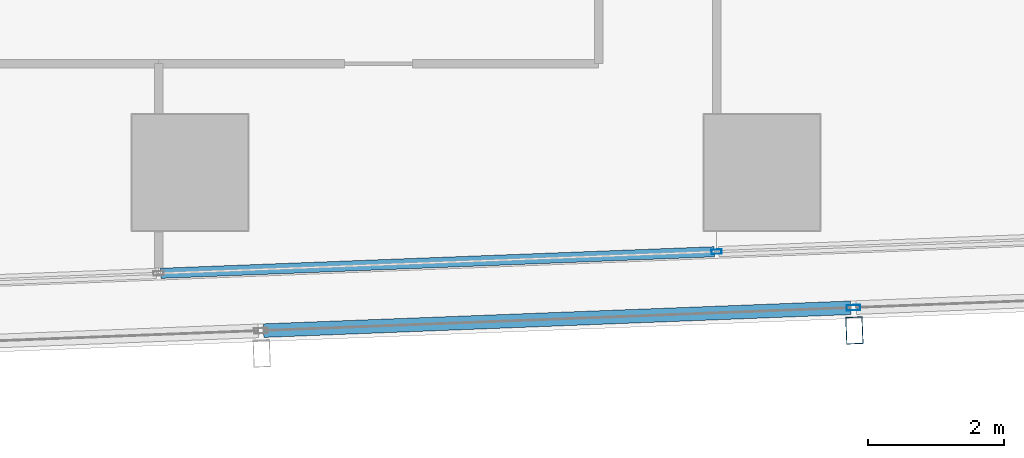
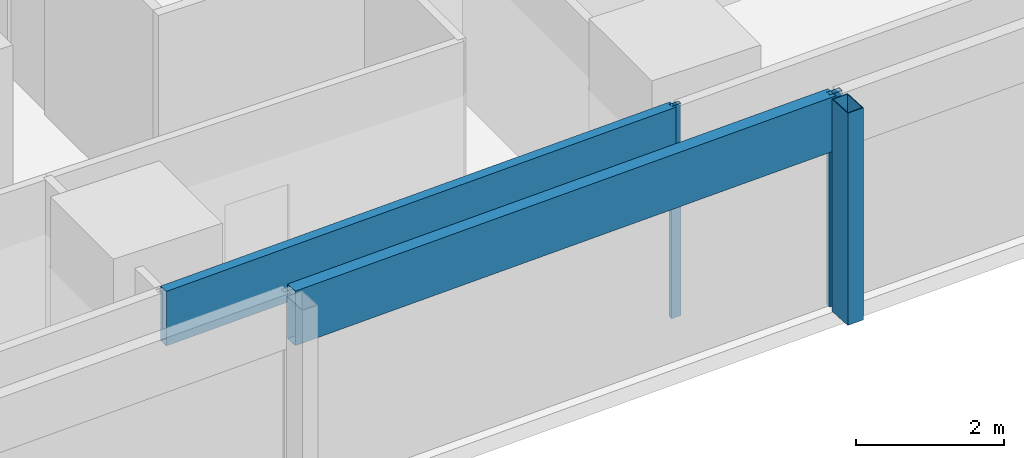
# One storey, part 11 of 40: 5 members, 2 elements without a shape of their own.
"""IFC4 building model written with IfcOpenShell, lengths in metres."""

from ifc_helpers import new_model, si_unit, direction, frame, origin, origin_2d, place, context, subcontext, project, spatial, hollow_rectangle, extrude, material, material_profile, profile_set, type_object, element, aggregate, save


model = new_model("IFC4")

# Units and contexts
model_context = context("Model", 3, precision=1e-05, world=origin(), true_north=direction((0.0, 1.0)))
body_context = subcontext(model_context, "Body", "Model", "MODEL_VIEW")
ifc_project = project(units=[si_unit("LENGTHUNIT", "METRE"), si_unit("AREAUNIT", "SQUARE_METRE"), si_unit("VOLUMEUNIT", "CUBIC_METRE"), si_unit("PLANEANGLEUNIT", "RADIAN"), si_unit("MASSUNIT", "GRAM", prefix="KILO")], contexts=[model_context])

# Site, building, storey
site_placement = place(None, origin())
site = spatial("IfcSite", under=ifc_project, at=site_placement, CompositionType="ELEMENT")
building_placement = place(site_placement, origin())
building = spatial("IfcBuilding", under=site, at=building_placement, Name="Rekha Terrace Tower", CompositionType="ELEMENT")
storey_placement = place(building_placement, frame((0.0, 0.0, 140.300048828125)))
storey = spatial("IfcBuildingStorey", under=building, at=storey_placement, Name="L35", CompositionType="ELEMENT", Elevation=140.300048828125)

# Curtain wall, member
ifc_material_1 = material(Name="Aluminium framing", Category="aluminium")
curtain_wall_type_1 = type_object("IfcCurtainWallType", Name="CW2 double skin outer glazing", PredefinedType="USERDEFINED", material=ifc_material_1)
curtain_wall_1_placement = place(storey_placement, origin())
curtain_wall_1 = element("IfcCurtainWall", 1, at=curtain_wall_1_placement, inside=storey, type_object=curtain_wall_type_1, Name="CW2 double skin outer glazing", ObjectType="DOUBLE SKIN OUTER GLAZING", PredefinedType="USERDEFINED")
ifc_material_2 = material(Name="Steel S355 with fluorocarbon finish", Category="steel")
ifc_material_profile_1 = material_profile(ifc_material_2, hollow_rectangle(XDim=0.25, YDim=0.39990234375, WallThickness=0.012451171875, at=origin_2d()), Name="RHS400x250x12.5")
ifc_profile_set_1 = profile_set([ifc_material_profile_1], Name="Steel S355 with fluorocarbon finish")
member_type_1 = type_object("IfcMemberType", Name="BL1 facade blade RHS 400 x 250", PredefinedType="USERDEFINED", material=ifc_profile_set_1)
member_1_placement = place(storey_placement, frame((60.1572265625, 14.480712890625, 0.0), z_axis=(0.0, 0.0, 1.0), x_axis=(0.999243494356, 0.038890088543, 0.0)))
member_1 = element("IfcMember", 2, at=member_1_placement, type_object=member_type_1, Name="Facade blade", ObjectType="FACADE BLADE", PredefinedType="USERDEFINED", context=body_context, shape_type="SweptSolid", body=[
    extrude(hollow_rectangle(XDim=0.25, YDim=0.39990234375, WallThickness=0.012451171875, at=origin_2d()), origin(), (0.0, 0.0, 1.0), 3.5),
])

# Curtain wall, members
curtain_wall_type_2 = type_object("IfcCurtainWallType", Name="CW1 double skin inner glazing", PredefinedType="USERDEFINED", material=ifc_material_1)
curtain_wall_2_placement = place(storey_placement, origin())
curtain_wall_2 = element("IfcCurtainWall", 3, at=curtain_wall_2_placement, inside=storey, type_object=curtain_wall_type_2, Name="CW1 double skin inner glazing", ObjectType="DOUBLE SKIN INNER GLAZING", PredefinedType="USERDEFINED")
ifc_material_3 = material(Name="Aluminium mullion section", Category="aluminium")
ifc_material_profile_2 = material_profile(ifc_material_3, hollow_rectangle(XDim=0.06494140625, YDim=0.14990234375, WallThickness=0.00390625, at=origin_2d()), Name="AL RHS 65x150")
ifc_profile_set_2 = profile_set([ifc_material_profile_2], Name="Aluminium mullion section")
member_type_2 = type_object("IfcMemberType", Name="CW1 mullion RHS 65 x 150", PredefinedType="MULLION", material=ifc_profile_set_2)
member_2_placement = place(storey_placement, frame((58.13330078125, 15.637939453125, 0.0), z_axis=(0.0, 0.0, 1.0), x_axis=(-0.038889971345, 0.999243498917, 0.0)))
member_2 = element("IfcMember", 4, at=member_2_placement, type_object=member_type_2, Name="CW1 mullion 5", PredefinedType="MULLION", context=body_context, shape_type="SweptSolid", body=[
    extrude(hollow_rectangle(XDim=0.06494140625, YDim=0.14990234375, WallThickness=0.00390625, at=origin_2d()), origin(), (0.0, 0.0, 1.0), 3.5),
])
ifc_material_4 = material(Name="Insulated aluminium spandrel box", Category="aluminium")
ifc_material_profile_3 = material_profile(ifc_material_4, hollow_rectangle(XDim=0.14990234375, YDim=0.89990234375, WallThickness=0.0029296875, at=origin_2d()), Name="AL SPANDREL BOX 150x900")
ifc_profile_set_3 = profile_set([ifc_material_profile_3], Name="Insulated aluminium spandrel box")
member_type_3 = type_object("IfcMemberType", Name="CW1 spandrel transom 150 x 900", PredefinedType="USERDEFINED", material=ifc_profile_set_3)
member_3_placement = place(storey_placement, frame((49.96923828125, 15.320068359375, 3.050048828125), z_axis=(0.999242669674, 0.038911272182, 0.0), x_axis=(-0.038911272182, 0.999242669674, 0.0)))
member_3 = element("IfcMember", 5, at=member_3_placement, type_object=member_type_3, Name="CW1 spandrel transom 4", ObjectType="TRANSOM", PredefinedType="USERDEFINED", context=body_context, shape_type="SweptSolid", body=[
    extrude(hollow_rectangle(XDim=0.14990234375, YDim=0.89990234375, WallThickness=0.0029296875, at=origin_2d()), origin(), (0.0, 0.0, 1.0), 8.1376953125),
])
aggregate(curtain_wall_2, [member_2, member_3])

# Member
ifc_material_profile_4 = material_profile(ifc_material_3, hollow_rectangle(XDim=0.080078125, YDim=0.199951171875, WallThickness=0.00390625, at=origin_2d()), Name="AL RHS 80x200")
ifc_profile_set_4 = profile_set([ifc_material_profile_4], Name="Aluminium mullion section")
member_type_4 = type_object("IfcMemberType", Name="CW2 mullion RHS 80 x 200", PredefinedType="MULLION", material=ifc_profile_set_4)
member_4_placement = place(storey_placement, frame((60.14404296875, 14.8154296875, 0.0), z_axis=(0.0, 0.0, 1.0), x_axis=(-0.038889971345, 0.999243498917, 0.0)))
member_4 = element("IfcMember", 6, at=member_4_placement, type_object=member_type_4, Name="CW2 mullion 5", PredefinedType="MULLION", context=body_context, shape_type="SweptSolid", body=[
    extrude(hollow_rectangle(XDim=0.080078125, YDim=0.199951171875, WallThickness=0.00390625, at=origin_2d()), origin(), (0.0, 0.0, 1.0), 3.5),
])

ifc_material_profile_5 = material_profile(ifc_material_4, hollow_rectangle(XDim=0.199951171875, YDim=0.89990234375, WallThickness=0.0029296875, at=origin_2d()), Name="AL SPANDREL BOX 200x900")
ifc_profile_set_5 = profile_set([ifc_material_profile_5], Name="Insulated aluminium spandrel box")
member_type_5 = type_object("IfcMemberType", Name="CW2 spandrel transom 200 x 900", PredefinedType="USERDEFINED", material=ifc_profile_set_5)
member_5_placement = place(storey_placement, frame((51.47900390625, 14.478271484375, 3.050048828125), z_axis=(0.999243481303, 0.038890423923, 0.0), x_axis=(-0.038890423923, 0.999243481303, 0.0)))
member_5 = element("IfcMember", 7, at=member_5_placement, type_object=member_type_5, Name="CW2 spandrel transom 4", ObjectType="TRANSOM", PredefinedType="USERDEFINED", context=body_context, shape_type="SweptSolid", body=[
    extrude(hollow_rectangle(XDim=0.199951171875, YDim=0.89990234375, WallThickness=0.0029296875, at=origin_2d()), origin(), (0.0, 0.0, 1.0), 8.6318359375),
])

aggregate(curtain_wall_1, [member_4, member_5, member_1])

save(model, "model.ifc")
